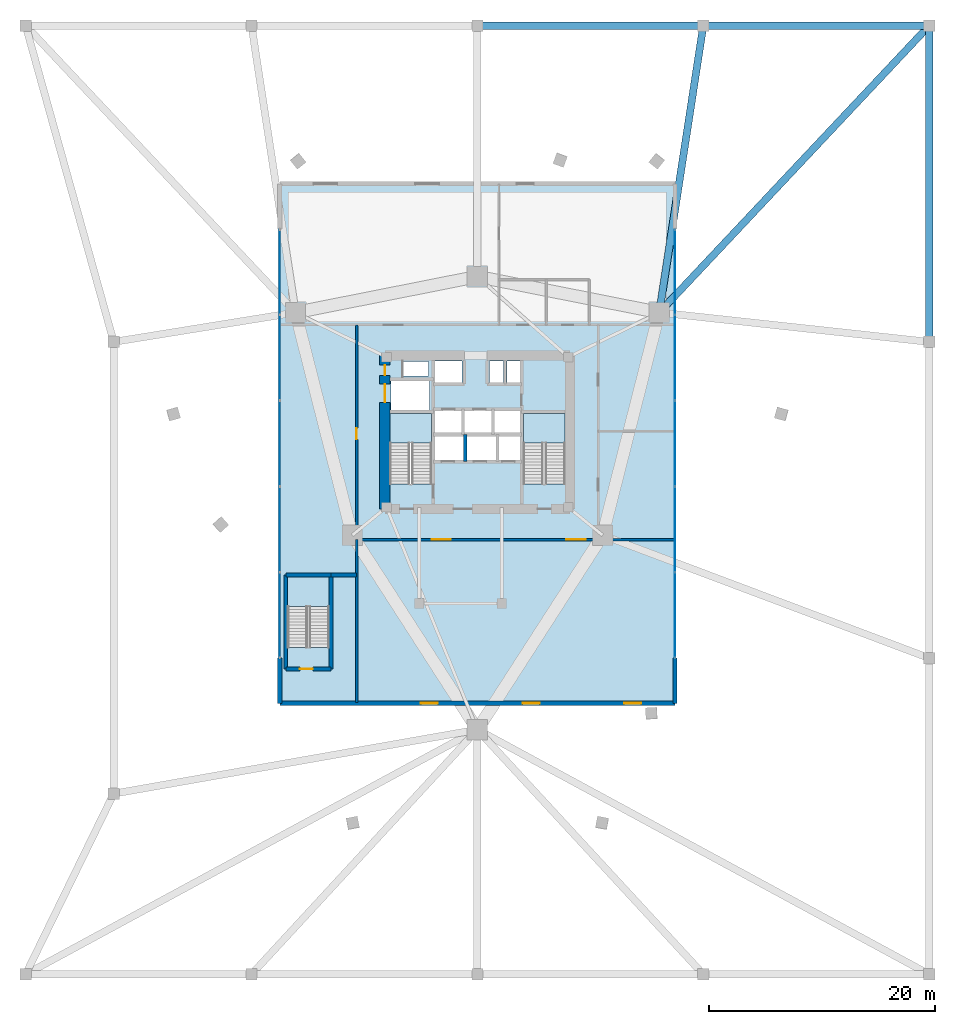
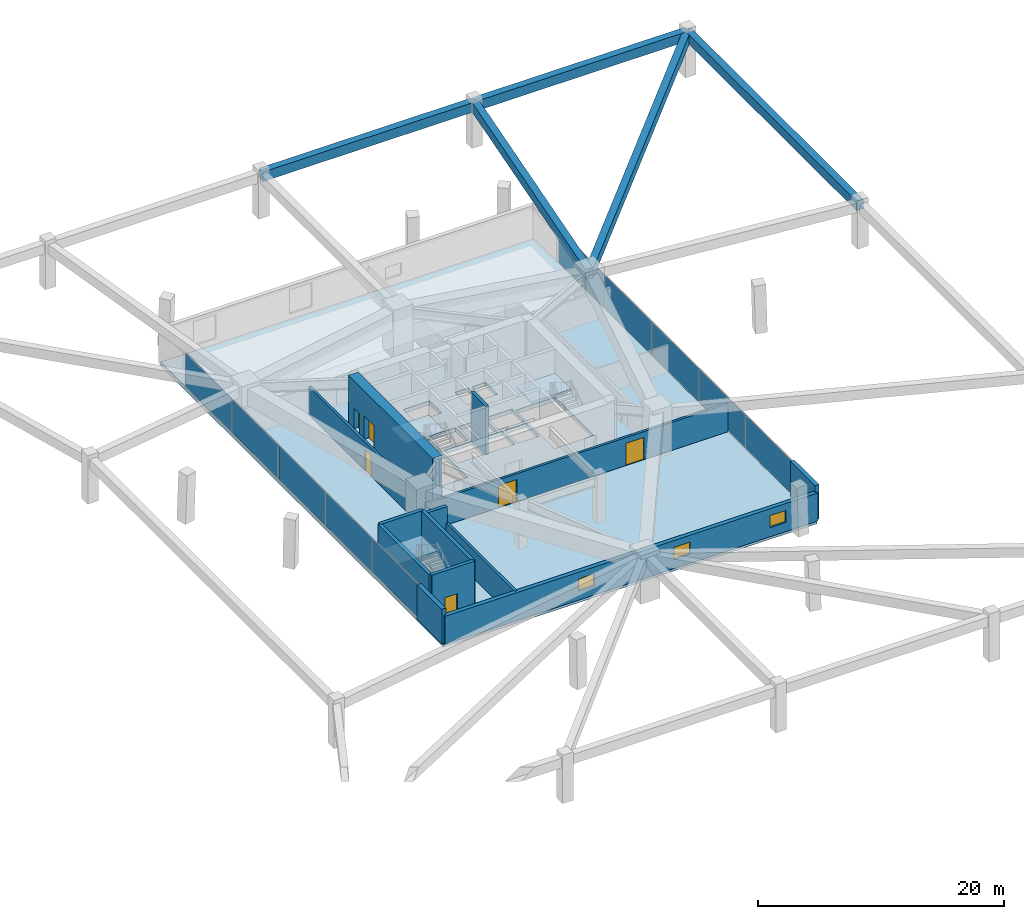
# One storey, part 11 of 15: 13 walls, 10 plates, 6 doors, 5 beams, 4 slabs, 3 windows, 9 openings, 5 elements without a shape of their own.
"""IFC4 building model written with IfcOpenShell, lengths in metres."""

from ifc_helpers import new_model, si_unit, direction, frame, frame_2d, origin, origin_2d, place, context, subcontext, project, spatial, polyline, rectangle, outline, extrude, material, layer, layer_set, material_profile, profile_set, type_object, element, fill, aggregate, save


model = new_model("IFC4")

# Units and contexts
model_context = context("Model", 3, precision=1e-05, world=origin(), true_north=direction((0.0, 1.0)))
body_context = subcontext(model_context, "Body", "Model", "MODEL_VIEW")
ifc_project = project(units=[si_unit("LENGTHUNIT", "METRE"), si_unit("AREAUNIT", "SQUARE_METRE"), si_unit("VOLUMEUNIT", "CUBIC_METRE"), si_unit("PLANEANGLEUNIT", "RADIAN"), si_unit("MASSUNIT", "GRAM", prefix="KILO")], contexts=[model_context])

# Site, building, storey
site_placement = place(None, origin())
site = spatial("IfcSite", under=ifc_project, at=site_placement, CompositionType="ELEMENT")
building_placement = place(site_placement, origin())
building = spatial("IfcBuilding", under=site, at=building_placement, Name="Talyreon Biosciences Tower", CompositionType="ELEMENT")
storey_placement = place(building_placement, frame((0.0, 0.0, 5.39990234375)))
storey = spatial("IfcBuildingStorey", under=building, at=storey_placement, Name="L01", CompositionType="ELEMENT", Elevation=5.39990234375)

# Beams
ifc_material_1 = material(Name="Concrete C50/60", Category="concrete")
ifc_material_profile = material_profile(ifc_material_1, rectangle(XDim=0.64990234375, YDim=0.949951171875, at=origin_2d()), Name="RCB 650x950")
ifc_profile_set = profile_set([ifc_material_profile], Name="Concrete C50/60")
beam_type = type_object("IfcBeamType", Name="PodiumGirder_650x950", PredefinedType="T_BEAM", material=ifc_profile_set)
beam_1_placement = place(storey_placement, frame((106.0, 76.0, 3.925048828125), z_axis=(0.0, 1.0, 0.0), x_axis=(-1.0, 0.0, 0.0)))
element("IfcBeam", 1, at=beam_1_placement, inside=storey, type_object=beam_type, Name="L01 Podium Perimeter Ring Girder 07", PredefinedType="T_BEAM", context=body_context, shape_type="SweptSolid", body=[
    extrude(rectangle(XDim=0.64990234375, YDim=0.949951171875, at=origin_2d()), origin(), (0.0, 0.0, 1.0), 28.0),
])
for number, where, z_axis, x_axis, name in (
    (2, (106.0, 104.0, 3.925048828125), (-1.0, 0.0, 0.0), (0.0, -1.0, 0.0), "L01 Podium Perimeter Ring Girder 08"),
    (3, (86.0, 104.0, 3.925048828125), (-1.0, 0.0, 0.0), (0.0, -1.0, 0.0), "L01 Podium Perimeter Ring Girder 09"),
):
    element("IfcBeam", number, at=place(storey_placement, frame(where, z_axis=z_axis, x_axis=x_axis)), inside=storey, type_object=beam_type, Name=name, PredefinedType="T_BEAM", context=body_context, shape_type="SweptSolid", body=[
        extrude(rectangle(XDim=0.64990234375, YDim=0.949951171875, at=origin_2d()), origin(), (0.0, 0.0, 1.0), 20.0),
    ])
beam_2_placement = place(storey_placement, frame((82.102294921875, 78.5986328125, 3.925048828125), z_axis=(0.685220788465, 0.728335411095, 0.0), x_axis=(-0.728335411095, 0.685220788465, 0.0)))
element("IfcBeam", 4, at=beam_2_placement, inside=storey, type_object=beam_type, Name="L01 Podium Radial Tie Girder PDC08", PredefinedType="T_BEAM", context=body_context, shape_type="SweptSolid", body=[
    extrude(rectangle(XDim=0.64990234375, YDim=0.949951171875, at=origin_2d()), origin(), (0.0, 0.0, 1.0), 34.8759765625),
])
beam_3_placement = place(storey_placement, frame((82.102294921875, 78.5986328125, 3.925048828125), z_axis=(0.151669534412, 0.988431258273, 0.0), x_axis=(-0.988431258273, 0.151669534412, 0.0)))
element("IfcBeam", 5, at=beam_3_placement, inside=storey, type_object=beam_type, Name="L01 Podium Radial Tie Girder PDC09", PredefinedType="T_BEAM", context=body_context, shape_type="SweptSolid", body=[
    extrude(rectangle(XDim=0.64990234375, YDim=0.949951171875, at=origin_2d()), origin(), (0.0, 0.0, 1.0), 25.69873046875),
])

# Curtain wall, plates
ifc_material_2 = material(Name="Thermally broken aluminium and low-E glazing", Category="aluminium")
ifc_layer_1 = layer(ifc_material_2, 0.219970703125)
ifc_layer_set_1 = layer_set([ifc_layer_1], Name="Thermally broken aluminium and low-E glazing")
curtain_wall_type = type_object("IfcCurtainWallType", Name="CurtainWall_PodiumDoubleHeight", PredefinedType="NOTDEFINED", material=ifc_layer_set_1)
curtain_wall_1_placement = place(storey_placement, origin())
curtain_wall_1 = element("IfcCurtainWall", 6, at=curtain_wall_1_placement, inside=storey, type_object=curtain_wall_type, Name="L01 Unitised Curtain Wall FCW-L01-E", PredefinedType="NOTDEFINED")
ifc_material_3 = material(Name="Acoustic laminated low-E insulated glazing", Category="glass")
ifc_layer_2 = layer(ifc_material_3, 0.0380859375)
ifc_layer_set_2 = layer_set([ifc_layer_2], Name="Acoustic laminated low-E insulated glazing")
plate_type = type_object("IfcPlateType", Name="CWGlazingPanel_38", PredefinedType="CURTAIN_PANEL", material=ifc_layer_set_2)
plate_1_placement = place(storey_placement, frame((83.5, 82.18115234375, 0.06494140625), z_axis=(0.0, 0.0, 1.0), x_axis=(0.0, -1.0, 0.0)))
plate_1 = element("IfcPlate", 7, at=plate_1_placement, type_object=plate_type, Name="CW1 panel 1.1", PredefinedType="CURTAIN_PANEL", context=body_context, shape_type="SweptSolid", body=[
    extrude(rectangle(XDim=7.487548828125, YDim=0.0380859375, at=origin_2d()), origin(), (0.0, 0.0, 1.0), 3.300048828125),
])
plate_2_placement = place(storey_placement, frame((83.5, 74.60009765625, 0.06494140625), z_axis=(0.0, 0.0, 1.0), x_axis=(0.0, -1.0, 0.0)))
plate_2 = element("IfcPlate", 8, at=plate_2_placement, type_object=plate_type, Name="CW1 panel 2.1", PredefinedType="CURTAIN_PANEL", context=body_context, shape_type="SweptSolid", body=[
    extrude(rectangle(XDim=7.52490234375, YDim=0.0380859375, at=origin_2d()), origin(), (0.0, 0.0, 1.0), 3.300048828125),
])
plate_3_placement = place(storey_placement, frame((83.5, 67.0, 0.06494140625), z_axis=(0.0, 0.0, 1.0), x_axis=(0.0, -1.0, 0.0)))
plate_3 = element("IfcPlate", 9, at=plate_3_placement, type_object=plate_type, Name="CW1 panel 3.1", PredefinedType="CURTAIN_PANEL", context=body_context, shape_type="SweptSolid", body=[
    extrude(rectangle(XDim=7.52490234375, YDim=0.0380859375, at=origin_2d()), origin(), (0.0, 0.0, 1.0), 3.300048828125),
])
plate_4_placement = place(storey_placement, frame((83.5, 59.39990234375, 0.06494140625), z_axis=(0.0, 0.0, 1.0), x_axis=(0.0, -1.0, 0.0)))
plate_4 = element("IfcPlate", 10, at=plate_4_placement, type_object=plate_type, Name="CW1 panel 4.1", PredefinedType="CURTAIN_PANEL", context=body_context, shape_type="SweptSolid", body=[
    extrude(rectangle(XDim=7.52490234375, YDim=0.0380859375, at=origin_2d()), origin(), (0.0, 0.0, 1.0), 3.300048828125),
])
plate_5_placement = place(storey_placement, frame((83.5, 51.81884765625, 0.06494140625), z_axis=(0.0, 0.0, 1.0), x_axis=(0.0, -1.0, 0.0)))
plate_5 = element("IfcPlate", 11, at=plate_5_placement, type_object=plate_type, Name="CW1 panel 5.1", PredefinedType="CURTAIN_PANEL", context=body_context, shape_type="SweptSolid", body=[
    extrude(rectangle(XDim=7.487548828125, YDim=0.0380859375, at=origin_2d()), origin(), (0.0, 0.0, 1.0), 3.300048828125),
])
aggregate(curtain_wall_1, [plate_1, plate_2, plate_3, plate_4, plate_5])

curtain_wall_2_placement = place(storey_placement, origin())
curtain_wall_2 = element("IfcCurtainWall", 12, at=curtain_wall_2_placement, inside=storey, type_object=curtain_wall_type, Name="L01 Unitised Curtain Wall FCW-L01-W", PredefinedType="NOTDEFINED")
plate_6_placement = place(storey_placement, frame((48.5, 51.81884765625, 0.06494140625), z_axis=(0.0, 0.0, 1.0), x_axis=(0.0, 1.0, 0.0)))
plate_6 = element("IfcPlate", 13, at=plate_6_placement, type_object=plate_type, Name="CW1 panel 1.1", PredefinedType="CURTAIN_PANEL", context=body_context, shape_type="SweptSolid", body=[
    extrude(rectangle(XDim=7.487548828125, YDim=0.0380859375, at=origin_2d()), origin(), (0.0, 0.0, 1.0), 3.300048828125),
])
plate_7_placement = place(storey_placement, frame((48.5, 59.39990234375, 0.06494140625), z_axis=(0.0, 0.0, 1.0), x_axis=(0.0, 1.0, 0.0)))
plate_7 = element("IfcPlate", 14, at=plate_7_placement, type_object=plate_type, Name="CW1 panel 2.1", PredefinedType="CURTAIN_PANEL", context=body_context, shape_type="SweptSolid", body=[
    extrude(rectangle(XDim=7.52490234375, YDim=0.0380859375, at=origin_2d()), origin(), (0.0, 0.0, 1.0), 3.300048828125),
])
plate_8_placement = place(storey_placement, frame((48.5, 67.0, 0.06494140625), z_axis=(0.0, 0.0, 1.0), x_axis=(0.0, 1.0, 0.0)))
plate_8 = element("IfcPlate", 15, at=plate_8_placement, type_object=plate_type, Name="CW1 panel 3.1", PredefinedType="CURTAIN_PANEL", context=body_context, shape_type="SweptSolid", body=[
    extrude(rectangle(XDim=7.52490234375, YDim=0.0380859375, at=origin_2d()), origin(), (0.0, 0.0, 1.0), 3.300048828125),
])
plate_9_placement = place(storey_placement, frame((48.5, 74.60009765625, 0.06494140625), z_axis=(0.0, 0.0, 1.0), x_axis=(0.0, 1.0, 0.0)))
plate_9 = element("IfcPlate", 16, at=plate_9_placement, type_object=plate_type, Name="CW1 panel 4.1", PredefinedType="CURTAIN_PANEL", context=body_context, shape_type="SweptSolid", body=[
    extrude(rectangle(XDim=7.52490234375, YDim=0.0380859375, at=origin_2d()), origin(), (0.0, 0.0, 1.0), 3.300048828125),
])
plate_10_placement = place(storey_placement, frame((48.5, 82.18115234375, 0.06494140625), z_axis=(0.0, 0.0, 1.0), x_axis=(0.0, 1.0, 0.0)))
plate_10 = element("IfcPlate", 17, at=plate_10_placement, type_object=plate_type, Name="CW1 panel 5.1", PredefinedType="CURTAIN_PANEL", context=body_context, shape_type="SweptSolid", body=[
    extrude(rectangle(XDim=7.487548828125, YDim=0.0380859375, at=origin_2d()), origin(), (0.0, 0.0, 1.0), 3.300048828125),
])
aggregate(curtain_wall_2, [plate_6, plate_7, plate_8, plate_9, plate_10])

# Stair, slab
ifc_material_4 = material(Name="Concrete C40/50", Category="concrete")
stair_type = type_object("IfcStairType", Name="DoglegEscapeStair_4800", PredefinedType="HALF_TURN_STAIR", material=ifc_material_4)
stair_1_placement = place(storey_placement, origin())
stair_1 = element("IfcStair", 18, at=stair_1_placement, inside=storey, type_object=stair_type, Name="L01 Core Escape Stair 1", PredefinedType="HALF_TURN_STAIR")
ifc_layer_3 = layer(ifc_material_4, 0.199951171875)
ifc_layer_set_3 = layer_set([ifc_layer_3], Name="Concrete C40/50")
slab_type_1 = type_object("IfcSlabType", Name="StairLandingSlab_200", PredefinedType="LANDING", material=ifc_layer_set_3)
slab_1_placement = place(storey_placement, frame((0.0, 0.0, 2.2001953125)))
slab_1 = element("IfcSlab", 19, at=slab_1_placement, type_object=slab_type_1, Name="ST-1 landing 1", PredefinedType="LANDING", context=body_context, shape_type="SweptSolid", body=[
    extrude(outline(polyline([(61.929931640625, 67.0400390625), (61.929931640625, 69.64990234375), (58.25, 69.64990234375), (58.25, 67.0400390625), (61.929931640625, 67.0400390625)])), origin(), (0.0, 0.0, 1.0), 0.199951171875),
])
aggregate(stair_1, [slab_1])

stair_2_placement = place(storey_placement, origin())
stair_2 = element("IfcStair", 20, at=stair_2_placement, inside=storey, type_object=stair_type, Name="L01 Core Escape Stair 2", PredefinedType="HALF_TURN_STAIR")
slab_2_placement = place(storey_placement, frame((0.0, 0.0, 2.2001953125)))
slab_2 = element("IfcSlab", 21, at=slab_2_placement, type_object=slab_type_1, Name="ST-2 landing 1", PredefinedType="LANDING", context=body_context, shape_type="SweptSolid", body=[
    extrude(outline(polyline([(73.75, 67.0400390625), (73.75, 69.64990234375), (70.070068359375, 69.64990234375), (70.070068359375, 67.0400390625), (73.75, 67.0400390625)])), origin(), (0.0, 0.0, 1.0), 0.199951171875),
])
aggregate(stair_2, [slab_2])

stair_3_placement = place(storey_placement, origin())
stair_3 = element("IfcStair", 22, at=stair_3_placement, inside=storey, type_object=stair_type, Name="L01 Podium Escape Stair 3", PredefinedType="HALF_TURN_STAIR")
slab_3_placement = place(storey_placement, frame((0.0, 0.0, 2.2001953125)))
slab_3 = element("IfcSlab", 23, at=slab_3_placement, type_object=slab_type_1, Name="ST-3 landing 1", PredefinedType="LANDING", context=body_context, shape_type="SweptSolid", body=[
    extrude(outline(polyline([(52.8798828125, 52.590087890625), (52.8798828125, 55.199951171875), (49.199951171875, 55.199951171875), (49.199951171875, 52.590087890625), (52.8798828125, 52.590087890625)])), origin(), (0.0, 0.0, 1.0), 0.199951171875),
])
aggregate(stair_3, [slab_3])

# Slab
ifc_layer_4 = layer(ifc_material_1, 0.39990234375)
ifc_layer_set_4 = layer_set([ifc_layer_4], Name="Concrete C50/60")
slab_type_2 = type_object("IfcSlabType", Name="TransferDeckSlab_400", PredefinedType="FLOOR", material=ifc_layer_set_4)
slab_4_placement = place(storey_placement, frame((0.0, 0.0, -0.39990234375)))
element("IfcSlab", 24, at=slab_4_placement, inside=storey, type_object=slab_type_2, Name="L01 Structural Floor Slab", PredefinedType="FLOOR", context=body_context, shape_type="SweptSolid", body=[
    extrude(outline(polyline([(48.5, 44.0), (83.5, 44.0), (83.5, 90.0), (48.5, 90.0), (48.5, 44.0)]), holes=[polyline([(52.8798828125, 55.199951171875), (52.8798828125, 48.9580078125), (49.199951171875, 48.9580078125), (49.199951171875, 55.199951171875), (52.8798828125, 55.199951171875)]), polyline([(61.929931640625, 63.407958984375), (58.25, 63.407958984375), (58.25, 69.64990234375), (61.929931640625, 69.64990234375), (61.929931640625, 63.407958984375)]), polyline([(64.800048828125, 65.550048828125), (62.199951171875, 65.550048828125), (62.199951171875, 67.64990234375), (64.800048828125, 67.64990234375), (64.800048828125, 65.550048828125)]), polyline([(64.60009765625, 67.949951171875), (62.199951171875, 67.949951171875), (62.199951171875, 69.949951171875), (64.60009765625, 69.949951171875), (64.60009765625, 67.949951171875)]), polyline([(61.75, 69.97998046875), (58.35009765625, 69.97998046875), (58.35009765625, 72.550048828125), (61.75, 72.550048828125), (61.75, 69.97998046875)]), polyline([(64.64990234375, 72.35009765625), (62.199951171875, 72.35009765625), (62.199951171875, 74.300048828125), (64.64990234375, 74.300048828125), (64.64990234375, 72.35009765625)]), polyline([(61.64990234375, 72.9599609375), (59.39990234375, 72.9599609375), (59.39990234375, 74.25), (61.64990234375, 74.25), (61.64990234375, 72.9599609375)]), polyline([(73.75, 69.64990234375), (73.75, 63.407958984375), (70.070068359375, 63.407958984375), (70.070068359375, 69.64990234375), (73.75, 69.64990234375)]), polyline([(67.64990234375, 65.550048828125), (65.050048828125, 65.550048828125), (65.050048828125, 67.64990234375), (67.64990234375, 67.64990234375), (67.64990234375, 65.550048828125)]), polyline([(69.89990234375, 65.550048828125), (67.89990234375, 65.550048828125), (67.89990234375, 67.64990234375), (69.89990234375, 67.64990234375), (69.89990234375, 65.550048828125)]), polyline([(67.25, 67.949951171875), (64.85009765625, 67.949951171875), (64.85009765625, 69.949951171875), (67.25, 69.949951171875), (67.25, 67.949951171875)]), polyline([(69.89990234375, 67.949951171875), (67.5, 67.949951171875), (67.5, 69.949951171875), (69.89990234375, 69.949951171875), (69.89990234375, 67.949951171875)]), polyline([(68.300048828125, 72.35009765625), (67.050048828125, 72.35009765625), (67.050048828125, 74.300048828125), (68.300048828125, 74.300048828125), (68.300048828125, 72.35009765625)]), polyline([(69.919921875, 72.35009765625), (68.6201171875, 72.35009765625), (68.6201171875, 74.300048828125), (69.919921875, 74.300048828125), (69.919921875, 72.35009765625)])]), origin(), (0.0, 0.0, 1.0), 0.39990234375),
])

# Walls
ifc_layer_5 = layer(ifc_material_1, 0.280029296875)
ifc_layer_set_5 = layer_set([ifc_layer_5], Name="Concrete C50/60")
wall_type_1 = type_object("IfcWallType", Name="CoreShearWall_280", PredefinedType="SHEAR", material=ifc_layer_set_5)
wall_1_placement = place(storey_placement, frame((64.919921875, 65.39990234375, 0.0), z_axis=(0.0, 0.0, 1.0), x_axis=(0.0, 1.0, 0.0)))
element("IfcWall", 25, at=wall_1_placement, inside=storey, type_object=wall_type_1, Name="L01 Core Shaft Wall SWSHD1", PredefinedType="SHEAR", context=body_context, shape_type="SweptSolid", body=[
    extrude(rectangle(XDim=2.400146484375, YDim=0.280029296875, at=frame_2d((1.2001953125, 0.0))), origin(), (0.0, 0.0, 1.0), 4.800048828125),
])
ifc_layer_6 = layer(ifc_material_1, 0.320068359375)
ifc_layer_set_6 = layer_set([ifc_layer_6], Name="Concrete C50/60")
wall_type_2 = type_object("IfcWallType", Name="CoreShearWall_320", PredefinedType="SHEAR", material=ifc_layer_set_6)
for number, where, z_axis, x_axis, name in (
    (26, (49.0400390625, 47.0400390625, 0.0), (0.0, 0.0, 1.0), (0.0, 1.0, 0.0), "L01 Stair ST-3 Structural Wall W"),
    (27, (53.0400390625, 47.0400390625, 0.0), (0.0, 0.0, 1.0), (0.0, 1.0, 0.0), "L01 Stair ST-3 Structural Wall E"),
):
    element("IfcWall", number, at=place(storey_placement, frame(where, z_axis=z_axis, x_axis=x_axis)), inside=storey, type_object=wall_type_2, Name=name, PredefinedType="SHEAR", context=body_context, shape_type="SweptSolid", body=[
        extrude(rectangle(XDim=8.320068359375, YDim=0.320068359375, at=frame_2d((4.16015625, 0.0))), origin(), (0.0, 0.0, 1.0), 4.800048828125),
    ])
wall_2_placement = place(storey_placement, frame((49.0400390625, 55.360107421875, 0.0), z_axis=(0.0, 0.0, 1.0), x_axis=(1.0, 0.0, 0.0)))
element("IfcWall", 28, at=wall_2_placement, inside=storey, type_object=wall_type_2, Name="L01 Stair ST-3 Structural Wall N", PredefinedType="SHEAR", context=body_context, shape_type="SweptSolid", body=[
    extrude(rectangle(XDim=4.0, YDim=0.320068359375, at=frame_2d((2.0, 0.0))), origin(), (0.0, 0.0, 1.0), 4.800048828125),
])

# Wall, opening, door
wall_3_placement = place(storey_placement, frame((49.0400390625, 47.0400390625, 0.0), z_axis=(0.0, 0.0, 1.0), x_axis=(1.0, 0.0, 0.0)))
wall_3 = element("IfcWall", 29, at=wall_3_placement, inside=storey, type_object=wall_type_2, Name="L01 Stair ST-3 Structural Wall S", PredefinedType="SHEAR", context=body_context, shape_type="SweptSolid", body=[
    extrude(rectangle(XDim=4.0, YDim=0.320068359375, at=frame_2d((2.0, 0.0))), origin(), (0.0, 0.0, 1.0), 4.800048828125),
])
opening_1_placement = place(wall_3_placement, frame((1.25, 0.0, 0.0)))
opening_1 = element("IfcOpeningElement", 30, at=opening_1_placement, cuts=wall_3, Name="Opening DR-L01-ST3", PredefinedType="OPENING", context=body_context, shape_type="SweptSolid", body=[
    extrude(rectangle(XDim=1.14990234375, YDim=2.14990234375, at=frame_2d((0.574951171875, 1.074951171875))), frame((0.0, 0.169921875, 0.0), z_axis=(0.0, -1.0, 0.0), x_axis=(1.0, 0.0, 0.0)), (0.0, 0.0, 1.0), 0.340087890625),
])
ifc_material_5 = material(Name="Painted steel fire door", Category="steel")
door_type_1 = type_object("IfcDoorType", Name="StairShaftFireDoor_1150x2150", OperationType="NOTDEFINED", PredefinedType="DOOR", material=ifc_material_5)
door_1_placement = place(opening_1_placement, origin())
door_1 = element("IfcDoor", 31, at=door_1_placement, inside=storey, type_object=door_type_1, Name="L01 Core Door DR-L01-ST3", OperationType="SINGLE_SWING_LEFT", OverallHeight=2.14990234375, OverallWidth=1.14990234375, PredefinedType="DOOR", context=body_context, shape_type="SweptSolid", body=[
    extrude(rectangle(XDim=1.14990234375, YDim=2.14990234375, at=frame_2d((0.574951171875, 1.074951171875))), frame((0.0, 0.02490234375, 0.0), z_axis=(0.0, -1.0, 0.0), x_axis=(1.0, 0.0, 0.0)), (0.0, 0.0, 1.0), 0.050048828125),
])
fill(opening_1, door_1)

# Wall, openings, doors
ifc_material_6 = material(Name="Concrete C60/75", Category="concrete")
ifc_layer_7 = layer(ifc_material_6, 0.89990234375)
ifc_layer_set_7 = layer_set([ifc_layer_7], Name="Concrete C60/75")
wall_type_3 = type_object("IfcWallType", Name="CoreShearWall_900", PredefinedType="SHEAR", material=ifc_layer_set_7)
wall_4_placement = place(storey_placement, frame((57.800048828125, 74.800048828125, 0.0), z_axis=(0.0, 0.0, 1.0), x_axis=(0.0, -1.0, 0.0)))
wall_4 = element("IfcWall", 32, at=wall_4_placement, inside=storey, type_object=wall_type_3, Name="L01 Core Shear Wall W", PredefinedType="SHEAR", context=body_context, shape_type="SweptSolid", body=[
    extrude(rectangle(XDim=13.60009765625, YDim=0.89990234375, at=frame_2d((6.800048828125, 0.0))), origin(), (0.0, 0.0, 1.0), 4.800048828125),
])
opening_2_placement = place(wall_4_placement, frame((0.85009765625, 0.0, 0.0)))
opening_2 = element("IfcOpeningElement", 33, at=opening_2_placement, cuts=wall_4, Name="Opening DR-L01-RSW", PredefinedType="OPENING", context=body_context, shape_type="SweptSolid", body=[
    extrude(rectangle(XDim=0.919921875, YDim=2.050048828125, at=frame_2d((0.4599609375, 1.02490234375))), frame((0.0, 0.4599609375, 0.0), z_axis=(0.0, -1.0, 0.0), x_axis=(1.0, 0.0, 0.0)), (0.0, 0.0, 1.0), 0.919921875),
])
opening_3_placement = place(wall_4_placement, frame((2.550048828125, 0.0, 0.0)))
opening_3 = element("IfcOpeningElement", 34, at=opening_3_placement, cuts=wall_4, Name="Opening LD-L01-GL1", PredefinedType="OPENING", context=body_context, shape_type="SweptSolid", body=[
    extrude(rectangle(XDim=1.60009765625, YDim=2.300048828125, at=frame_2d((0.800048828125, 1.14990234375))), frame((0.0, 0.4599609375, 0.0), z_axis=(0.0, -1.0, 0.0), x_axis=(1.0, 0.0, 0.0)), (0.0, 0.0, 1.0), 0.919921875),
])
ifc_material_7 = material(Name="Heavy-duty stainless-steel goods lift door", Category="steel")
door_type_2 = type_object("IfcDoorType", Name="GoodsLiftSlidingDoor_1600x2300", OperationType="DOUBLE_DOOR_SLIDING", PredefinedType="DOOR", material=ifc_material_7)
door_2_placement = place(opening_3_placement, origin())
door_2 = element("IfcDoor", 35, at=door_2_placement, inside=storey, type_object=door_type_2, Name="L01 Core Door LD-L01-GL1", OperationType="DOUBLE_DOOR_SLIDING", OverallHeight=2.300048828125, OverallWidth=1.60009765625, PredefinedType="DOOR", context=body_context, shape_type="SweptSolid", body=[
    extrude(rectangle(XDim=1.60009765625, YDim=2.300048828125, at=frame_2d((0.800048828125, 1.14990234375))), frame((0.0, 0.02490234375, 0.0), z_axis=(0.0, -1.0, 0.0), x_axis=(1.0, 0.0, 0.0)), (0.0, 0.0, 1.0), 0.050048828125),
])
fill(opening_3, door_2)
ifc_material_8 = material(Name="Painted steel fire-rated riser door", Category="steel")
door_type_3 = type_object("IfcDoorType", Name="RiserPlantAccessDoor_920x2050", OperationType="NOTDEFINED", PredefinedType="DOOR", material=ifc_material_8)
door_3_placement = place(opening_2_placement, origin())
door_3 = element("IfcDoor", 36, at=door_3_placement, inside=storey, type_object=door_type_3, Name="L01 Core Door DR-L01-RSW", OperationType="SINGLE_SWING_LEFT", OverallHeight=2.050048828125, OverallWidth=0.919921875, PredefinedType="DOOR", context=body_context, shape_type="SweptSolid", body=[
    extrude(rectangle(XDim=0.919921875, YDim=2.050048828125, at=frame_2d((0.4599609375, 1.02490234375))), frame((0.0, 0.02490234375, 0.0), z_axis=(0.0, -1.0, 0.0), x_axis=(1.0, 0.0, 0.0)), (0.0, 0.0, 1.0), 0.050048828125),
])
fill(opening_2, door_3)

ifc_material_9 = material(Name="Gypsum fireboard acoustic stud", Category="gypsum")
ifc_layer_8 = layer(ifc_material_9, 0.219970703125)
ifc_layer_set_8 = layer_set([ifc_layer_8], Name="Gypsum fireboard acoustic stud")
wall_type_4 = type_object("IfcWallType", Name="CorridorRatedPartition_220", PredefinedType="PARTITIONING", material=ifc_layer_set_8)
wall_5_placement = place(storey_placement, frame((55.300048828125, 58.5, 0.0), z_axis=(0.0, 0.0, 1.0), x_axis=(1.0, 0.0, 0.0)))
wall_5 = element("IfcWall", 37, at=wall_5_placement, inside=storey, type_object=wall_type_4, Name="L01 Interior Wall IW-L01-S", PredefinedType="PARTITIONING", context=body_context, shape_type="SweptSolid", body=[
    extrude(rectangle(XDim=28.14990234375, YDim=0.219970703125, at=frame_2d((14.074951171875, 0.0))), origin(), (0.0, 0.0, 1.0), 2.780029296875),
])
opening_4_placement = place(wall_5_placement, frame((6.64990234375, 0.0, 0.0)))
opening_4 = element("IfcOpeningElement", 38, at=opening_4_placement, cuts=wall_5, Name="Opening DR-L01-FOY1", PredefinedType="OPENING", context=body_context, shape_type="SweptSolid", body=[
    extrude(rectangle(XDim=1.699951171875, YDim=2.199951171875, at=frame_2d((0.85009765625, 1.10009765625))), frame((0.0, 0.119873046875, 0.0), z_axis=(0.0, -1.0, 0.0), x_axis=(1.0, 0.0, 0.0)), (0.0, 0.0, 1.0), 0.239990234375),
])
opening_5_placement = place(wall_5_placement, frame((18.5810546875, 0.0, 0.0)))
opening_5 = element("IfcOpeningElement", 39, at=opening_5_placement, cuts=wall_5, Name="Opening DR-L01-FOY2", PredefinedType="OPENING", context=body_context, shape_type="SweptSolid", body=[
    extrude(rectangle(XDim=1.699951171875, YDim=2.199951171875, at=frame_2d((0.85009765625, 1.10009765625))), frame((0.0, 0.119873046875, 0.0), z_axis=(0.0, -1.0, 0.0), x_axis=(1.0, 0.0, 0.0)), (0.0, 0.0, 1.0), 0.239990234375),
])
ifc_material_10 = material(Name="Acoustic oak seminar double door", Category="wood")
door_type_4 = type_object("IfcDoorType", Name="MeetingSeminarDoubleDoor_1700x2200", OperationType="DOUBLE_DOOR_SINGLE_SWING", PredefinedType="DOOR", material=ifc_material_10)
door_4_placement = place(opening_4_placement, origin())
door_4 = element("IfcDoor", 40, at=door_4_placement, inside=storey, type_object=door_type_4, Name="L01 Interior Door DR-L01-FOY1", OperationType="DOUBLE_DOOR_SINGLE_SWING", OverallHeight=2.199951171875, OverallWidth=1.699951171875, PredefinedType="DOOR", context=body_context, shape_type="SweptSolid", body=[
    extrude(rectangle(XDim=1.699951171875, YDim=2.199951171875, at=frame_2d((0.85009765625, 1.10009765625))), frame((0.0, 0.02490234375, 0.0), z_axis=(0.0, -1.0, 0.0), x_axis=(1.0, 0.0, 0.0)), (0.0, 0.0, 1.0), 0.050048828125),
])
fill(opening_4, door_4)
door_5_placement = place(opening_5_placement, origin())
door_5 = element("IfcDoor", 41, at=door_5_placement, inside=storey, type_object=door_type_4, Name="L01 Interior Door DR-L01-FOY2", OperationType="DOUBLE_DOOR_SINGLE_SWING", OverallHeight=2.199951171875, OverallWidth=1.699951171875, PredefinedType="DOOR", context=body_context, shape_type="SweptSolid", body=[
    extrude(rectangle(XDim=1.699951171875, YDim=2.199951171875, at=frame_2d((0.85009765625, 1.10009765625))), frame((0.0, 0.02490234375, 0.0), z_axis=(0.0, -1.0, 0.0), x_axis=(1.0, 0.0, 0.0)), (0.0, 0.0, 1.0), 0.050048828125),
])
fill(opening_5, door_5)

# Wall
wall_6_placement = place(storey_placement, frame((55.300048828125, 44.050048828125, 0.0), z_axis=(0.0, 0.0, 1.0), x_axis=(0.0, 1.0, 0.0)))
element("IfcWall", 42, at=wall_6_placement, inside=storey, type_object=wall_type_4, Name="L01 Interior Wall IW-L01-SWEST", PredefinedType="PARTITIONING", context=body_context, shape_type="SweptSolid", body=[
    extrude(rectangle(XDim=14.449951171875, YDim=0.219970703125, at=frame_2d((7.22509765625, 0.0))), origin(), (0.0, 0.0, 1.0), 2.780029296875),
])

# Wall, opening, door
wall_7_placement = place(storey_placement, frame((55.300048828125, 58.6201171875, 0.0), z_axis=(0.0, 0.0, 1.0), x_axis=(0.0, 1.0, 0.0)))
wall_7 = element("IfcWall", 43, at=wall_7_placement, inside=storey, type_object=wall_type_4, Name="L01 Interior Wall IW-L01-W", PredefinedType="PARTITIONING", context=body_context, shape_type="SweptSolid", body=[
    extrude(rectangle(XDim=18.8798828125, YDim=0.219970703125, at=frame_2d((9.43994140625, 0.0))), origin(), (0.0, 0.0, 1.0), 2.780029296875),
])
opening_6_placement = place(wall_7_placement, frame((8.75, 0.0, 0.0)))
opening_6 = element("IfcOpeningElement", 44, at=opening_6_placement, cuts=wall_7, Name="Opening DR-L01-OFF", PredefinedType="OPENING", context=body_context, shape_type="SweptSolid", body=[
    extrude(rectangle(XDim=1.0, YDim=2.10009765625, at=frame_2d((0.5, 1.050048828125))), frame((0.0, 0.119873046875, 0.0), z_axis=(0.0, -1.0, 0.0), x_axis=(1.0, 0.0, 0.0)), (0.0, 0.0, 1.0), 0.239990234375),
])
ifc_material_11 = material(Name="Acoustic oak veneer office door", Category="wood")
door_type_5 = type_object("IfcDoorType", Name="WriteupOfficeDoor_1000x2100", OperationType="NOTDEFINED", PredefinedType="DOOR", material=ifc_material_11)
door_6_placement = place(opening_6_placement, origin())
door_6 = element("IfcDoor", 45, at=door_6_placement, inside=storey, type_object=door_type_5, Name="L01 Interior Door DR-L01-OFF", OperationType="SINGLE_SWING_RIGHT", OverallHeight=2.10009765625, OverallWidth=1.0, PredefinedType="DOOR", context=body_context, shape_type="SweptSolid", body=[
    extrude(rectangle(XDim=1.0, YDim=2.10009765625, at=frame_2d((0.5, 1.050048828125))), frame((0.0, 0.02490234375, 0.0), z_axis=(0.0, -1.0, 0.0), x_axis=(1.0, 0.0, 0.0)), (0.0, 0.0, 1.0), 0.050048828125),
])
fill(opening_6, door_6)

# Wall, openings, windows
ifc_material_12 = material(Name="Precast concrete C45/55", Category="concrete")
ifc_layer_9 = layer(ifc_material_12, 0.3798828125)
ifc_layer_set_9 = layer_set([ifc_layer_9], Name="Precast concrete C45/55")
wall_type_5 = type_object("IfcWallType", Name="PrecastConcretePodiumWall_380", PredefinedType="STANDARD", material=ifc_layer_set_9)
wall_8_placement = place(storey_placement, frame((83.5, 44.0, 0.0), z_axis=(0.0, 0.0, 1.0), x_axis=(-1.0, 0.0, 0.0)))
wall_8 = element("IfcWall", 46, at=wall_8_placement, inside=storey, type_object=wall_type_5, Name="L01 South Pavilion Wall", PredefinedType="STANDARD", context=body_context, shape_type="SweptSolid", body=[
    extrude(rectangle(XDim=35.0, YDim=0.3798828125, at=frame_2d((17.5, 0.0))), origin(), (0.0, 0.0, 1.0), 2.780029296875),
])
opening_7_placement = place(wall_8_placement, frame((3.0, 0.0, 0.89990234375)))
opening_7 = element("IfcOpeningElement", 47, at=opening_7_placement, cuts=wall_8, Name="Opening W07", PredefinedType="OPENING", context=body_context, shape_type="SweptSolid", body=[
    extrude(rectangle(XDim=1.5, YDim=1.199951171875, at=frame_2d((0.75, 0.60009765625))), frame((0.0, 0.199951171875, 0.0), z_axis=(0.0, -1.0, 0.0), x_axis=(1.0, 0.0, 0.0)), (0.0, 0.0, 1.0), 0.39990234375),
])
opening_8_placement = place(wall_8_placement, frame((12.0, 0.0, 0.89990234375)))
opening_8 = element("IfcOpeningElement", 48, at=opening_8_placement, cuts=wall_8, Name="Opening W07", PredefinedType="OPENING", context=body_context, shape_type="SweptSolid", body=[
    extrude(rectangle(XDim=1.5, YDim=1.199951171875, at=frame_2d((0.75, 0.60009765625))), frame((0.0, 0.199951171875, 0.0), z_axis=(0.0, -1.0, 0.0), x_axis=(1.0, 0.0, 0.0)), (0.0, 0.0, 1.0), 0.39990234375),
])
opening_9_placement = place(wall_8_placement, frame((21.0, 0.0, 0.89990234375)))
opening_9 = element("IfcOpeningElement", 49, at=opening_9_placement, cuts=wall_8, Name="Opening W07", PredefinedType="OPENING", context=body_context, shape_type="SweptSolid", body=[
    extrude(rectangle(XDim=1.5, YDim=1.199951171875, at=frame_2d((0.75, 0.60009765625))), frame((0.0, 0.199951171875, 0.0), z_axis=(0.0, -1.0, 0.0), x_axis=(1.0, 0.0, 0.0)), (0.0, 0.0, 1.0), 0.39990234375),
])
ifc_material_13 = material(Name="Thermally broken triple low-E aluminium window", Category="aluminium")
window_type = type_object("IfcWindowType", Name="FireCommandVisionWindow_1500x1200", PartitioningType="SINGLE_PANEL", PredefinedType="WINDOW", material=ifc_material_13)
window_1_placement = place(opening_7_placement, origin())
window_1 = element("IfcWindow", 50, at=window_1_placement, inside=storey, type_object=window_type, Name="L01 Pavilion Window S1", OverallHeight=1.199951171875, OverallWidth=1.5, PartitioningType="SINGLE_PANEL", PredefinedType="WINDOW", context=body_context, shape_type="SweptSolid", body=[
    extrude(rectangle(XDim=1.5, YDim=1.199951171875, at=frame_2d((0.75, 0.60009765625))), frame((0.0, 0.030029296875, 0.0), z_axis=(0.0, -1.0, 0.0), x_axis=(1.0, 0.0, 0.0)), (0.0, 0.0, 1.0), 0.06005859375),
])
fill(opening_7, window_1)
window_2_placement = place(opening_8_placement, origin())
window_2 = element("IfcWindow", 51, at=window_2_placement, inside=storey, type_object=window_type, Name="L01 Pavilion Window S2", OverallHeight=1.199951171875, OverallWidth=1.5, PartitioningType="SINGLE_PANEL", PredefinedType="WINDOW", context=body_context, shape_type="SweptSolid", body=[
    extrude(rectangle(XDim=1.5, YDim=1.199951171875, at=frame_2d((0.75, 0.60009765625))), frame((0.0, 0.030029296875, 0.0), z_axis=(0.0, -1.0, 0.0), x_axis=(1.0, 0.0, 0.0)), (0.0, 0.0, 1.0), 0.06005859375),
])
fill(opening_8, window_2)
window_3_placement = place(opening_9_placement, origin())
window_3 = element("IfcWindow", 52, at=window_3_placement, inside=storey, type_object=window_type, Name="L01 Pavilion Window S3", OverallHeight=1.199951171875, OverallWidth=1.5, PartitioningType="SINGLE_PANEL", PredefinedType="WINDOW", context=body_context, shape_type="SweptSolid", body=[
    extrude(rectangle(XDim=1.5, YDim=1.199951171875, at=frame_2d((0.75, 0.60009765625))), frame((0.0, 0.030029296875, 0.0), z_axis=(0.0, -1.0, 0.0), x_axis=(1.0, 0.0, 0.0)), (0.0, 0.0, 1.0), 0.06005859375),
])
fill(opening_9, window_3)

# Walls
for number, where, z_axis, x_axis, name in (
    (53, (83.5, 48.0, 0.0), (0.0, 0.0, 1.0), (0.0, -1.0, 0.0), "L01 Corner Pier EB"),
    (54, (48.5, 44.0, 0.0), (0.0, 0.0, 1.0), (0.0, 1.0, 0.0), "L01 Corner Pier WA"),
):
    element("IfcWall", number, at=place(storey_placement, frame(where, z_axis=z_axis, x_axis=x_axis)), inside=storey, type_object=wall_type_5, Name=name, PredefinedType="STANDARD", context=body_context, shape_type="SweptSolid", body=[
        extrude(rectangle(XDim=4.0, YDim=0.3798828125, at=frame_2d((2.0, 0.0))), origin(), (0.0, 0.0, 1.0), 3.43017578125),
    ])
ifc_layer_10 = layer(ifc_material_4, 0.320068359375)
ifc_layer_set_10 = layer_set([ifc_layer_10], Name="Concrete C40/50")
wall_type_6 = type_object("IfcWallType", Name="ShaftCompartmentWall_320", PredefinedType="STANDARD", material=ifc_layer_set_10)
wall_9_placement = place(storey_placement, frame((53.0400390625, 55.360107421875, 0.0), z_axis=(0.0, 0.0, 1.0), x_axis=(1.0, 0.0, 0.0)))
element("IfcWall", 55, at=wall_9_placement, inside=storey, type_object=wall_type_6, Name="L01 Interior Wall IW-L01-ST3E", PredefinedType="STANDARD", context=body_context, shape_type="SweptSolid", body=[
    extrude(rectangle(XDim=2.260009765625, YDim=0.320068359375, at=frame_2d((1.1298828125, 0.0))), origin(), (0.0, 0.0, 1.0), 4.400146484375),
])

save(model, "model.ifc")
